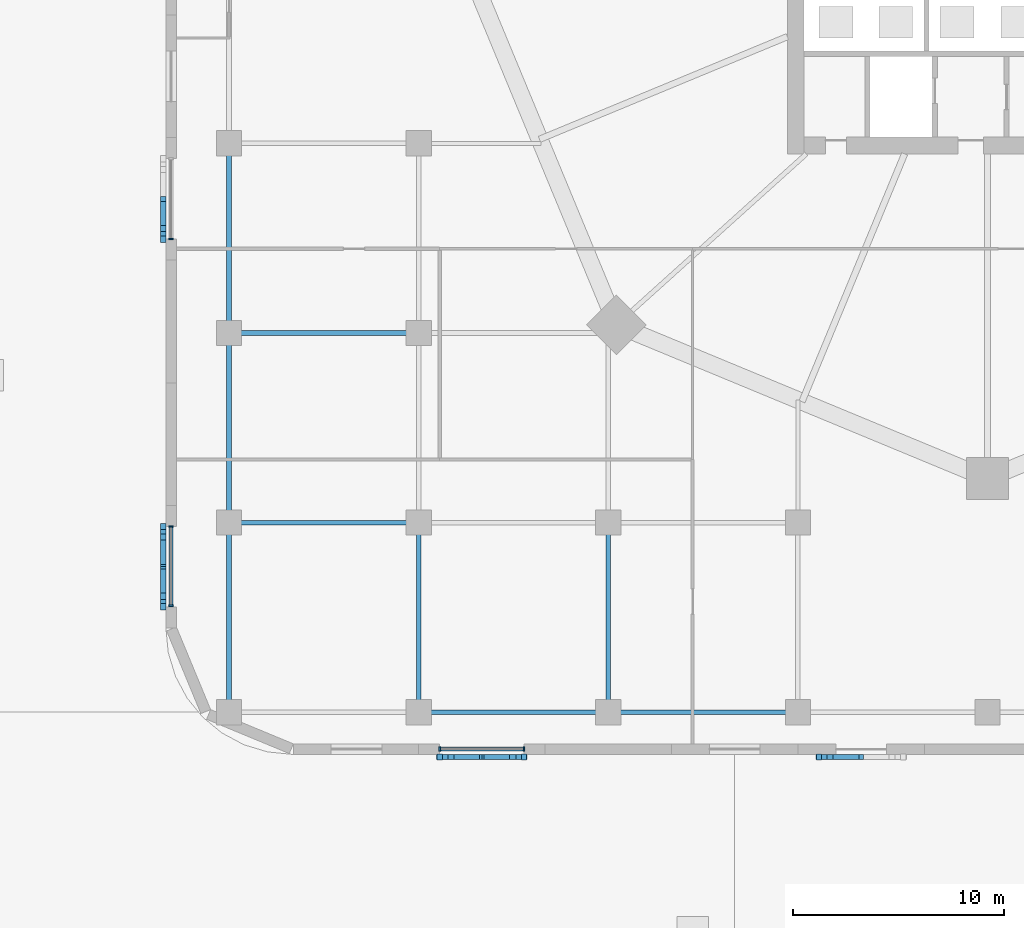
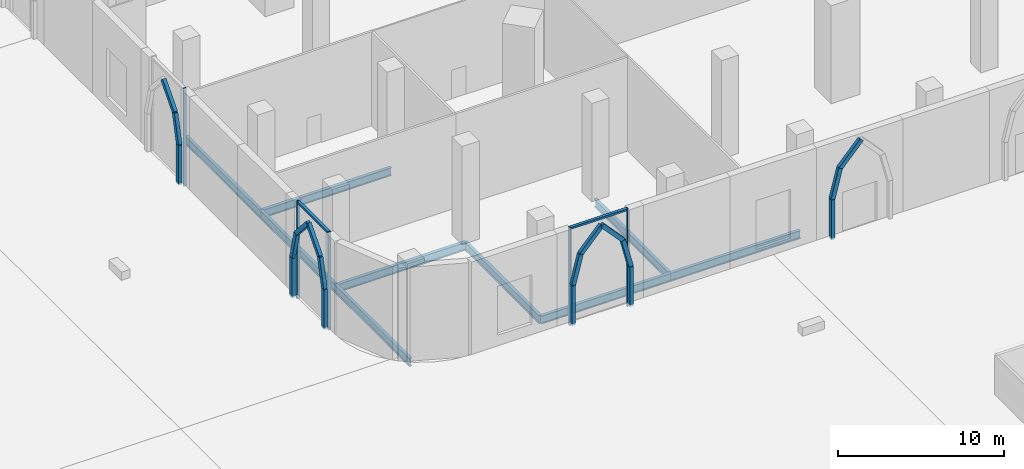
# One storey, part 2 of 48: 25 members, 9 beams, 3 elements without a shape of their own.
"""IFC4 building model written with IfcOpenShell, lengths in metres."""

from ifc_helpers import new_model, si_unit, direction, frame, origin, origin_2d, place, context, subcontext, project, spatial, rectangle, i_section, extrude, material, material_profile, profile_set, type_object, element, aggregate, save


model = new_model("IFC4")

# Units and contexts
model_context = context("Model", 3, precision=1e-05, world=origin(), true_north=direction((0.0, 1.0)))
body_context = subcontext(model_context, "Body", "Model", "MODEL_VIEW")
ifc_project = project(units=[si_unit("LENGTHUNIT", "METRE"), si_unit("AREAUNIT", "SQUARE_METRE"), si_unit("VOLUMEUNIT", "CUBIC_METRE"), si_unit("PLANEANGLEUNIT", "RADIAN"), si_unit("MASSUNIT", "GRAM", prefix="KILO")], contexts=[model_context])

# Site, building, storey
site_placement = place(None, origin())
site = spatial("IfcSite", under=ifc_project, at=site_placement, CompositionType="ELEMENT")
building_placement = place(site_placement, origin())
building = spatial("IfcBuilding", under=site, at=building_placement, Name="Ogive Gate Towers", CompositionType="ELEMENT")
storey_placement = place(building_placement, origin())
storey = spatial("IfcBuildingStorey", under=building, at=storey_placement, Name="L00", CompositionType="ELEMENT", Elevation=0.0)

# Members
ifc_material_1 = material(Name="Precast concrete C40/50", Category="concrete")
ifc_material_profile_1 = material_profile(ifc_material_1, rectangle(XDim=0.25, YDim=0.300048828125, at=origin_2d()), Name="250 x 300 cast stone")
ifc_profile_set_1 = profile_set([ifc_material_profile_1], Name="Precast concrete C40/50")
member_type_1 = type_object("IfcMemberType", Name="Arch rib 250 x 300", PredefinedType="USERDEFINED", material=ifc_profile_set_1)
member_1_placement = place(storey_placement, frame((-75.125, -13.54541015625, 0.0), z_axis=(0.0, 0.0, 1.0), x_axis=(1.0, 0.0, 0.0)))
element("IfcMember", 1, at=member_1_placement, inside=storey, type_object=member_type_1, Name="Arcade arch rib", ObjectType="ARCH RIB", PredefinedType="USERDEFINED", context=body_context, shape_type="SweptSolid", body=[
    extrude(rectangle(XDim=0.25, YDim=0.300048828125, at=origin_2d()), origin(), (0.0, 0.0, 1.0), 2.89990234375),
])
for number, where, z_axis, x_axis, name in (
    (2, (-75.125, -13.54541015625, 2.89990234375), (0.0, 0.239840918338, 0.970812203205), (-1.0, 0.0, 0.0), "Arcade arch rib"),
    (3, (-75.125, -13.0390625, 4.949462890625), (0.0, 0.664428442697, 0.747351888026), (-1.0, 0.0, 0.0), "Arcade arch rib"),
):
    element("IfcMember", number, at=place(storey_placement, frame(where, z_axis=z_axis, x_axis=x_axis)), inside=storey, type_object=member_type_1, Name=name, ObjectType="ARCH RIB", PredefinedType="USERDEFINED", context=body_context, shape_type="SweptSolid", body=[
        extrude(rectangle(XDim=0.25, YDim=0.300048828125, at=origin_2d()), origin(), (0.0, 0.0, 1.0), 2.111083984375),
    ])
member_2_placement = place(storey_placement, frame((-75.125, -27.181884765625, 0.0), z_axis=(0.0, 0.0, 1.0), x_axis=(1.0, 0.0, 0.0)))
element("IfcMember", 4, at=member_2_placement, inside=storey, type_object=member_type_1, Name="Arcade arch rib", ObjectType="ARCH RIB", PredefinedType="USERDEFINED", context=body_context, shape_type="SweptSolid", body=[
    extrude(rectangle(XDim=0.25, YDim=0.300048828125, at=origin_2d()), origin(), (0.0, 0.0, 1.0), 2.89990234375),
])
for number, where, z_axis, x_axis, name in (
    (5, (-75.125, -27.181884765625, 2.89990234375), (0.0, -0.239840918338, 0.970812203205), (1.0, 0.0, 0.0), "Arcade arch rib"),
    (6, (-75.125, -27.688232421875, 4.949462890625), (0.0, -0.664428442697, 0.747351888026), (1.0, 0.0, 0.0), "Arcade arch rib"),
):
    element("IfcMember", number, at=place(storey_placement, frame(where, z_axis=z_axis, x_axis=x_axis)), inside=storey, type_object=member_type_1, Name=name, ObjectType="ARCH RIB", PredefinedType="USERDEFINED", context=body_context, shape_type="SweptSolid", body=[
        extrude(rectangle(XDim=0.25, YDim=0.300048828125, at=origin_2d()), origin(), (0.0, 0.0, 1.0), 2.111083984375),
    ])
member_3_placement = place(storey_placement, frame((-75.125, -31.0, 0.0), z_axis=(0.0, 0.0, 1.0), x_axis=(1.0, 0.0, 0.0)))
element("IfcMember", 7, at=member_3_placement, inside=storey, type_object=member_type_1, Name="Arcade arch rib", ObjectType="ARCH RIB", PredefinedType="USERDEFINED", context=body_context, shape_type="SweptSolid", body=[
    extrude(rectangle(XDim=0.25, YDim=0.300048828125, at=origin_2d()), origin(), (0.0, 0.0, 1.0), 2.89990234375),
])
for number, where, z_axis, x_axis, name in (
    (8, (-75.125, -31.0, 2.89990234375), (0.0, 0.239840918338, 0.970812203205), (-1.0, 0.0, 0.0), "Arcade arch rib"),
    (9, (-75.125, -30.49365234375, 4.949462890625), (0.0, 0.664493031672, 0.74729446061), (-1.0, 0.0, 0.0), "Arcade arch rib"),
):
    element("IfcMember", number, at=place(storey_placement, frame(where, z_axis=z_axis, x_axis=x_axis)), inside=storey, type_object=member_type_1, Name=name, ObjectType="ARCH RIB", PredefinedType="USERDEFINED", context=body_context, shape_type="SweptSolid", body=[
        extrude(rectangle(XDim=0.25, YDim=0.300048828125, at=origin_2d()), origin(), (0.0, 0.0, 1.0), 2.111083984375),
    ])
member_4_placement = place(storey_placement, frame((-62.0, -38.125, 0.0), z_axis=(0.0, 0.0, 1.0), x_axis=(1.0, 0.0, 0.0)))
element("IfcMember", 10, at=member_4_placement, inside=storey, type_object=member_type_1, Name="Arcade arch rib", ObjectType="ARCH RIB", PredefinedType="USERDEFINED", context=body_context, shape_type="SweptSolid", body=[
    extrude(rectangle(XDim=0.25, YDim=0.300048828125, at=origin_2d()), origin(), (0.0, 0.0, 1.0), 2.89990234375),
])
for number, where, z_axis, x_axis, name in (
    (11, (-62.0, -38.125, 2.89990234375), (0.245931792163, 0.0, 0.969287136819), (0.0, 1.0, 0.0), "Arcade arch rib"),
    (12, (-61.4677734375, -38.125, 4.99755859375), (0.678223875113, 0.0, 0.734855343062), (0.0, 1.0, 0.0), "Arcade arch rib"),
):
    element("IfcMember", number, at=place(storey_placement, frame(where, z_axis=z_axis, x_axis=x_axis)), inside=storey, type_object=member_type_1, Name=name, ObjectType="ARCH RIB", PredefinedType="USERDEFINED", context=body_context, shape_type="SweptSolid", body=[
        extrude(rectangle(XDim=0.25, YDim=0.300048828125, at=origin_2d()), origin(), (0.0, 0.0, 1.0), 2.1640625),
    ])
member_5_placement = place(storey_placement, frame((-58.0, -38.125, 0.0), z_axis=(0.0, 0.0, 1.0), x_axis=(1.0, 0.0, 0.0)))
element("IfcMember", 13, at=member_5_placement, inside=storey, type_object=member_type_1, Name="Arcade arch rib", ObjectType="ARCH RIB", PredefinedType="USERDEFINED", context=body_context, shape_type="SweptSolid", body=[
    extrude(rectangle(XDim=0.25, YDim=0.300048828125, at=origin_2d()), origin(), (0.0, 0.0, 1.0), 2.89990234375),
])
for number, where, z_axis, x_axis, name in (
    (14, (-58.0, -38.125, 2.89990234375), (-0.245931792163, 0.0, 0.969287136819), (0.0, -1.0, 0.0), "Arcade arch rib"),
    (15, (-58.5322265625, -38.125, 4.99755859375), (-0.678223875113, 0.0, 0.734855343062), (0.0, -1.0, 0.0), "Arcade arch rib"),
):
    element("IfcMember", number, at=place(storey_placement, frame(where, z_axis=z_axis, x_axis=x_axis)), inside=storey, type_object=member_type_1, Name=name, ObjectType="ARCH RIB", PredefinedType="USERDEFINED", context=body_context, shape_type="SweptSolid", body=[
        extrude(rectangle(XDim=0.25, YDim=0.300048828125, at=origin_2d()), origin(), (0.0, 0.0, 1.0), 2.1640625),
    ])
member_6_placement = place(storey_placement, frame((-44.0, -38.125, 0.0), z_axis=(0.0, 0.0, 1.0), x_axis=(1.0, 0.0, 0.0)))
element("IfcMember", 16, at=member_6_placement, inside=storey, type_object=member_type_1, Name="Arcade arch rib", ObjectType="ARCH RIB", PredefinedType="USERDEFINED", context=body_context, shape_type="SweptSolid", body=[
    extrude(rectangle(XDim=0.25, YDim=0.300048828125, at=origin_2d()), origin(), (0.0, 0.0, 1.0), 2.89990234375),
])
for number, where, z_axis, x_axis, name in (
    (17, (-44.0, -38.125, 2.89990234375), (0.245931792163, 0.0, 0.969287136819), (0.0, 1.0, 0.0), "Arcade arch rib"),
    (18, (-43.4677734375, -38.125, 4.99755859375), (0.678223875113, 0.0, 0.734855343062), (0.0, 1.0, 0.0), "Arcade arch rib"),
):
    element("IfcMember", number, at=place(storey_placement, frame(where, z_axis=z_axis, x_axis=x_axis)), inside=storey, type_object=member_type_1, Name=name, ObjectType="ARCH RIB", PredefinedType="USERDEFINED", context=body_context, shape_type="SweptSolid", body=[
        extrude(rectangle(XDim=0.25, YDim=0.300048828125, at=origin_2d()), origin(), (0.0, 0.0, 1.0), 2.1640625),
    ])

# Beams
ifc_material_2 = material(Name="Steel SM355", Category="steel")
ifc_material_profile_2 = material_profile(ifc_material_2, i_section(OverallWidth=0.219970703125, OverallDepth=0.60009765625, WebThickness=0.011962890625, FlangeThickness=0.01904296875, FilletRadius=0.02392578125, at=origin_2d()), Name="IPE 600")
ifc_profile_set_2 = profile_set([ifc_material_profile_2], Name="Steel SM355")
beam_type = type_object("IfcBeamType", Name="Floor beam IPE 600", PredefinedType="BEAM", material=ifc_profile_set_2)
for number, where, z_axis, x_axis, name in (
    (19, (-72.0, -36.0, -0.60009765625), (0.0, 1.0, 0.0), (-1.0, 0.0, 0.0), "PD/L00/SBM001"),
    (20, (-72.0, -27.0, -0.60009765625), (0.0, 1.0, 0.0), (-1.0, 0.0, 0.0), "PD/L00/SBM002"),
    (21, (-72.0, -18.0, -0.60009765625), (0.0, 1.0, 0.0), (-1.0, 0.0, 0.0), "PD/L00/SBM003"),
    (22, (-63.0, -36.0, -0.60009765625), (0.0, 1.0, 0.0), (-1.0, 0.0, 0.0), "PD/L00/SBM009"),
    (23, (-54.0, -36.0, -0.60009765625), (0.0, 1.0, 0.0), (-1.0, 0.0, 0.0), "PD/L00/SBM015"),
    (24, (-63.0, -36.0, -0.60009765625), (1.0, 0.0, 0.0), (0.0, 1.0, 0.0), "PD/L00/SBM074"),
    (25, (-54.0, -36.0, -0.60009765625), (1.0, 0.0, 0.0), (0.0, 1.0, 0.0), "PD/L00/SBM075"),
    (26, (-72.0, -27.0, -0.60009765625), (1.0, 0.0, 0.0), (0.0, 1.0, 0.0), "PD/L00/SBM089"),
    (27, (-72.0, -18.0, -0.60009765625), (1.0, 0.0, 0.0), (0.0, 1.0, 0.0), "PD/L00/SBM101"),
):
    element("IfcBeam", number, at=place(storey_placement, frame(where, z_axis=z_axis, x_axis=x_axis)), inside=storey, type_object=beam_type, Name=name, PredefinedType="BEAM", context=body_context, shape_type="SweptSolid", body=[
        extrude(i_section(OverallWidth=0.219970703125, OverallDepth=0.60009765625, WebThickness=0.011962890625, FlangeThickness=0.01904296875, FilletRadius=0.02392578125, at=origin_2d()), origin(), (0.0, 0.0, 1.0), 9.0),
    ])

# Curtain wall, member
ifc_material_3 = material(Name="Pale metal aluminium", Category="aluminium")
curtain_wall_type = type_object("IfcCurtainWallType", Name="Podium glazing", PredefinedType="NOTDEFINED", material=ifc_material_3)
curtain_wall_1_placement = place(storey_placement, origin())
curtain_wall_1 = element("IfcCurtainWall", 28, at=curtain_wall_1_placement, inside=storey, type_object=curtain_wall_type, Name="CW6 PD ECW07", PredefinedType="NOTDEFINED")
ifc_material_profile_3 = material_profile(ifc_material_3, rectangle(XDim=0.199951171875, YDim=0.080078125, at=origin_2d()), Name="80 x 200 aluminium box")
ifc_profile_set_3 = profile_set([ifc_material_profile_3], Name="Pale metal aluminium")
member_type_2 = type_object("IfcMemberType", Name="Podium glazing mullion 80 x 200", PredefinedType="MULLION", material=ifc_profile_set_3)
member_7_placement = place(storey_placement, frame((-74.75, -13.54541015625, -0.300048828125), z_axis=(0.0, 0.0, 1.0), x_axis=(-1.0, 0.0, 0.0)))
member_7 = element("IfcMember", 29, at=member_7_placement, type_object=member_type_2, Name="CW6 mullion", PredefinedType="MULLION", context=body_context, shape_type="SweptSolid", body=[
    extrude(rectangle(XDim=0.199951171875, YDim=0.080078125, at=origin_2d()), origin(), (0.0, 0.0, 1.0), 7.199951171875),
])
aggregate(curtain_wall_1, [member_7])

# Curtain wall, members
curtain_wall_2_placement = place(storey_placement, origin())
curtain_wall_2 = element("IfcCurtainWall", 30, at=curtain_wall_2_placement, inside=storey, type_object=curtain_wall_type, Name="CW6 PD ECW08", PredefinedType="NOTDEFINED")
member_8_placement = place(storey_placement, frame((-74.75, -27.181884765625, -0.300048828125), z_axis=(0.0, 0.0, 1.0), x_axis=(-1.0, 0.0, 0.0)))
member_8 = element("IfcMember", 31, at=member_8_placement, type_object=member_type_2, Name="CW6 mullion", PredefinedType="MULLION", context=body_context, shape_type="SweptSolid", body=[
    extrude(rectangle(XDim=0.199951171875, YDim=0.080078125, at=origin_2d()), origin(), (0.0, 0.0, 1.0), 7.199951171875),
])
member_9_placement = place(storey_placement, frame((-74.75, -30.9501953125, -0.300048828125), z_axis=(0.0, 0.0, 1.0), x_axis=(-1.0, 0.0, 0.0)))
member_9 = element("IfcMember", 32, at=member_9_placement, type_object=member_type_2, Name="CW6 mullion", PredefinedType="MULLION", context=body_context, shape_type="SweptSolid", body=[
    extrude(rectangle(XDim=0.199951171875, YDim=0.080078125, at=origin_2d()), origin(), (0.0, 0.0, 1.0), 7.199951171875),
])

curtain_wall_3_placement = place(storey_placement, origin())
curtain_wall_3 = element("IfcCurtainWall", 33, at=curtain_wall_3_placement, inside=storey, type_object=curtain_wall_type, Name="CW6 PD ECW09", PredefinedType="NOTDEFINED")
member_10_placement = place(storey_placement, frame((-62.0, -37.75, -0.300048828125), z_axis=(0.0, 0.0, 1.0), x_axis=(0.0, -1.0, 0.0)))
member_10 = element("IfcMember", 34, at=member_10_placement, type_object=member_type_2, Name="CW6 mullion", PredefinedType="MULLION", context=body_context, shape_type="SweptSolid", body=[
    extrude(rectangle(XDim=0.199951171875, YDim=0.080078125, at=origin_2d()), origin(), (0.0, 0.0, 1.0), 7.199951171875),
])
member_11_placement = place(storey_placement, frame((-58.0, -37.75, -0.300048828125), z_axis=(0.0, 0.0, 1.0), x_axis=(0.0, -1.0, 0.0)))
member_11 = element("IfcMember", 35, at=member_11_placement, type_object=member_type_2, Name="CW6 mullion", PredefinedType="MULLION", context=body_context, shape_type="SweptSolid", body=[
    extrude(rectangle(XDim=0.199951171875, YDim=0.080078125, at=origin_2d()), origin(), (0.0, 0.0, 1.0), 7.199951171875),
])

# Member
ifc_material_profile_4 = material_profile(ifc_material_3, rectangle(XDim=0.199951171875, YDim=0.139892578125, at=origin_2d()), Name="140 x 200 aluminium box")
ifc_profile_set_4 = profile_set([ifc_material_profile_4], Name="Pale metal aluminium")
member_type_3 = type_object("IfcMemberType", Name="Podium glazing transom 140 x 200", PredefinedType="USERDEFINED", material=ifc_profile_set_4)
member_12_placement = place(storey_placement, frame((-74.75, -27.2216796875, 6.830078125), z_axis=(0.0, -1.0, 0.0), x_axis=(1.0, 0.0, 0.0)))
member_12 = element("IfcMember", 36, at=member_12_placement, type_object=member_type_3, Name="CW6 transom", ObjectType="TRANSOM", PredefinedType="USERDEFINED", context=body_context, shape_type="SweptSolid", body=[
    extrude(rectangle(XDim=0.199951171875, YDim=0.139892578125, at=origin_2d()), origin(), (0.0, 0.0, 1.0), 3.688720703125),
])

aggregate(curtain_wall_2, [member_8, member_9, member_12])

member_13_placement = place(storey_placement, frame((-61.9599609375, -37.75, 6.830078125), z_axis=(1.0, 0.0, 0.0), x_axis=(0.0, 1.0, 0.0)))
member_13 = element("IfcMember", 37, at=member_13_placement, type_object=member_type_3, Name="CW6 transom", ObjectType="TRANSOM", PredefinedType="USERDEFINED", context=body_context, shape_type="SweptSolid", body=[
    extrude(rectangle(XDim=0.199951171875, YDim=0.139892578125, at=origin_2d()), origin(), (0.0, 0.0, 1.0), 3.919921875),
])

aggregate(curtain_wall_3, [member_10, member_11, member_13])

save(model, "model.ifc")
